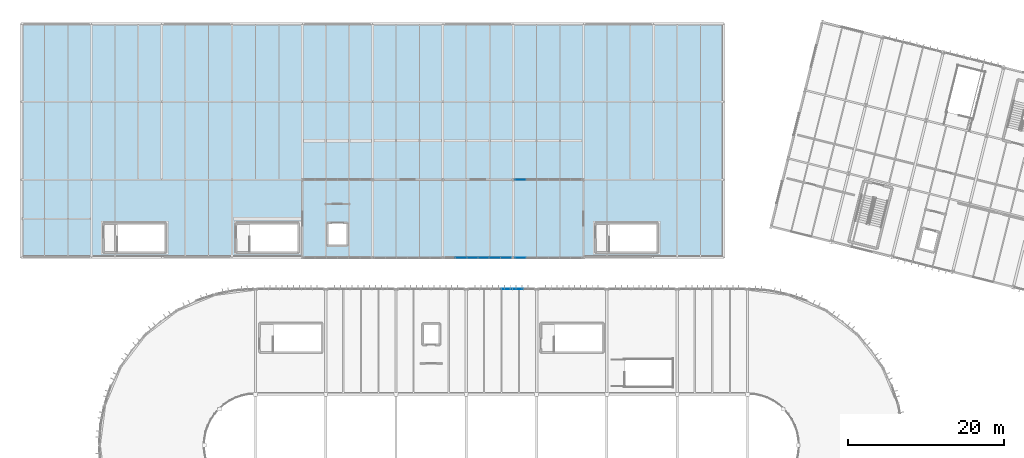
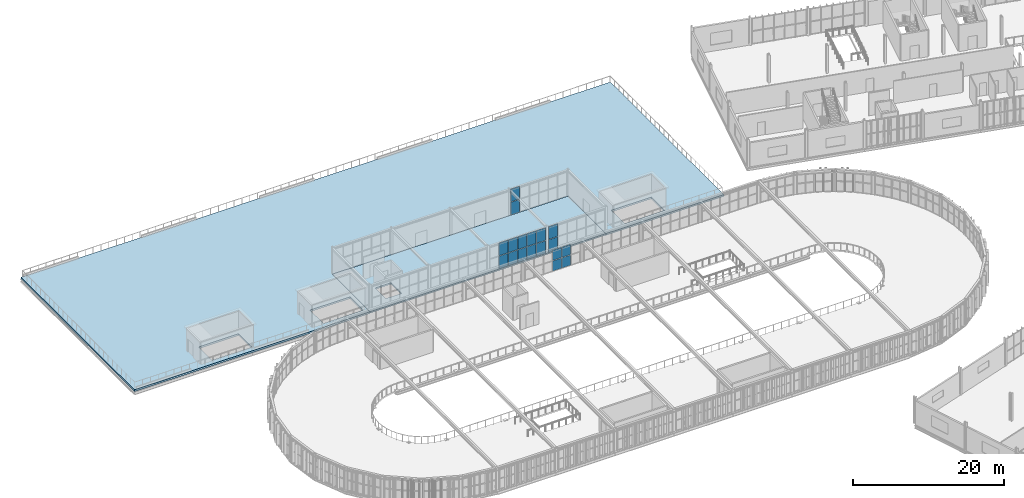
# One storey, part 111 of 152: 18 plates, 2 slabs, 4 elements without a shape of their own.
"""IFC4 building model written with IfcOpenShell, lengths in metres."""

from ifc_helpers import new_model, si_unit, derived_unit, direction, frame, origin, origin_2d, place, context, subcontext, project, spatial, polyline, rectangle, outline, extrude, material, layer, layer_set, type_object, element, aggregate, save


model = new_model("IFC4")

# Units and contexts
model_context = context("Model", 3, precision=1e-05, world=origin(), true_north=direction((0.0, 1.0)))
body_context = subcontext(model_context, "Body", "Model", "MODEL_VIEW")
ifc_project = project(units=[si_unit("LENGTHUNIT", "METRE"), si_unit("AREAUNIT", "SQUARE_METRE"), si_unit("VOLUMEUNIT", "CUBIC_METRE"), si_unit("PLANEANGLEUNIT", "RADIAN"), si_unit("MASSUNIT", "GRAM", prefix="KILO"), si_unit("THERMODYNAMICTEMPERATUREUNIT", "KELVIN"), si_unit("TIMEUNIT", "SECOND"), derived_unit("THERMALTRANSMITTANCEUNIT", [(si_unit("MASSUNIT", "GRAM", prefix="KILO"), 1), (si_unit("THERMODYNAMICTEMPERATUREUNIT", "KELVIN"), -1), (si_unit("TIMEUNIT", "SECOND"), -3)])], contexts=[model_context])

# Site, building, storey
site_placement = place(None, origin())
site = spatial("IfcSite", under=ifc_project, at=site_placement, CompositionType="ELEMENT")
building_placement = place(site_placement, origin())
building = spatial("IfcBuilding", under=site, at=building_placement, Name="Cambertide Market Hall", CompositionType="ELEMENT")
storey_placement = place(building_placement, frame((0.0, 0.0, 5.39990234375)))
storey = spatial("IfcBuildingStorey", under=building, at=storey_placement, Name="L02", CompositionType="ELEMENT", Elevation=5.39990234375)

# Slabs
ifc_material_1 = material(Name="Concrete B30", Category="concrete")
ifc_layer_1 = layer(ifc_material_1, 0.235107421875, Name="Herb Tea Pavilion Floor Slab 235")
ifc_layer_set_1 = layer_set([ifc_layer_1], Name="Concrete B30")
slab_type_1 = type_object("IfcSlabType", Name="Herb Tea Pavilion Floor Slab 235", PredefinedType="FLOOR", material=ifc_layer_set_1)
slab_1_placement = place(storey_placement, frame((0.0, 0.0, -0.23486328125)))
element("IfcSlab", 1, at=slab_1_placement, inside=storey, type_object=slab_type_1, Name="Level 2 Slab SLB-L02-V2-IN", PredefinedType="FLOOR", context=body_context, shape_type="SweptSolid", body=[
    extrude(outline(polyline([(48.0, 96.0), (84.0, 96.0), (84.0, 106.0), (48.0, 106.0), (48.0, 96.0)]), holes=[polyline([(51.300048828125, 100.39990234375), (53.699951171875, 100.39990234375), (53.699951171875, 97.60009765625), (51.300048828125, 97.60009765625), (51.300048828125, 100.39990234375)])]), origin(), (0.0, 0.0, 1.0), 0.23486328125),
])
ifc_material_2 = material(Name="Concrete B35", Category="concrete")
ifc_layer_2 = layer(ifc_material_2, 0.2900390625, Name="Outdoor Planted Herb Terrace Deck 290")
ifc_layer_set_2 = layer_set([ifc_layer_2], Name="Concrete B35")
slab_type_2 = type_object("IfcSlabType", Name="Outdoor Planted Herb Terrace Deck 290", PredefinedType="FLOOR", material=ifc_layer_set_2)
slab_2_placement = place(storey_placement, frame((0.0, 0.0, -0.289794921875)))
element("IfcSlab", 2, at=slab_2_placement, inside=storey, type_object=slab_type_2, Name="Level 2 Slab SLB-L02-V2-TERR", PredefinedType="FLOOR", context=body_context, shape_type="SweptSolid", body=[
    extrude(outline(polyline([(12.0, 96.0), (48.0, 96.0), (48.0, 106.0), (84.0, 106.0), (84.0, 96.0), (102.0, 96.0), (102.0, 126.0), (12.0, 126.0), (12.0, 96.0)]), holes=[polyline([(24.303955078125, 100.300048828125), (30.39990234375, 100.300048828125), (30.39990234375, 96.800048828125), (24.303955078125, 96.800048828125), (24.303955078125, 100.300048828125)]), polyline([(41.303955078125, 100.300048828125), (47.39990234375, 100.300048828125), (47.39990234375, 96.800048828125), (41.303955078125, 96.800048828125), (41.303955078125, 100.300048828125)]), polyline([(87.303955078125, 100.300048828125), (93.39990234375, 100.300048828125), (93.39990234375, 96.800048828125), (87.303955078125, 96.800048828125), (87.303955078125, 100.300048828125)])]), origin(), (0.0, 0.0, 1.0), 0.289794921875),
])

# Curtain wall, plates
ifc_material_3 = material(Name="Marine Anodized Aluminium 6063-T6 AA25", Category="aluminium")
curtain_wall_type_1 = type_object("IfcCurtainWallType", Name="Lantern Straight Upper Curtain Wall", PredefinedType="USERDEFINED", material=ifc_material_3)
curtain_wall_1_placement = place(storey_placement, origin())
curtain_wall_1 = element("IfcCurtainWall", 3, at=curtain_wall_1_placement, inside=storey, type_object=curtain_wall_type_1, Name="Level 2 Curtain Wall CW-V1N-L02-4", ObjectType="UNITIZED CURTAIN WALL", PredefinedType="USERDEFINED")
ifc_material_4 = material(Name="Low-E Laminated Insulated Glass", Category="glass")
ifc_layer_3 = layer(ifc_material_4, 0.028076171875, Name="Vision Insulated Glazing Panel 28")
ifc_layer_set_3 = layer_set([ifc_layer_3], Name="Low-E Laminated Insulated Glass")
plate_type = type_object("IfcPlateType", Name="Vision Insulated Glazing Panel 28", PredefinedType="CURTAIN_PANEL", material=ifc_layer_set_3)
plate_1_placement = place(storey_placement, frame((74.208251953125, 92.0, 0.0400390625), z_axis=(0.0, 0.0, 1.0), x_axis=(1.0, 0.0, 0.0)))
plate_1 = element("IfcPlate", 4, at=plate_1_placement, type_object=plate_type, Name="CW-V1N-L02-4 Glazing Panel 1-4", PredefinedType="CURTAIN_PANEL", context=body_context, shape_type="SweptSolid", body=[
    extrude(rectangle(XDim=1.336669921875, YDim=0.028076171875, at=origin_2d()), origin(), (0.0, 0.0, 1.0), 1.64501953125),
])
plate_2_placement = place(storey_placement, frame((75.625, 92.0, 0.0400390625), z_axis=(0.0, 0.0, 1.0), x_axis=(1.0, 0.0, 0.0)))
plate_2 = element("IfcPlate", 5, at=plate_2_placement, type_object=plate_type, Name="CW-V1N-L02-4 Glazing Panel 1-5", PredefinedType="CURTAIN_PANEL", context=body_context, shape_type="SweptSolid", body=[
    extrude(rectangle(XDim=1.336669921875, YDim=0.028076171875, at=origin_2d()), origin(), (0.0, 0.0, 1.0), 1.64501953125),
])
plate_3_placement = place(storey_placement, frame((74.208251953125, 92.0, 1.76513671875), z_axis=(0.0, 0.0, 1.0), x_axis=(1.0, 0.0, 0.0)))
plate_3 = element("IfcPlate", 6, at=plate_3_placement, type_object=plate_type, Name="CW-V1N-L02-4 Glazing Panel 2-4", PredefinedType="CURTAIN_PANEL", context=body_context, shape_type="SweptSolid", body=[
    extrude(rectangle(XDim=1.336669921875, YDim=0.028076171875, at=origin_2d()), origin(), (0.0, 0.0, 1.0), 1.64501953125),
])
plate_4_placement = place(storey_placement, frame((75.625, 92.0, 1.76513671875), z_axis=(0.0, 0.0, 1.0), x_axis=(1.0, 0.0, 0.0)))
plate_4 = element("IfcPlate", 7, at=plate_4_placement, type_object=plate_type, Name="CW-V1N-L02-4 Glazing Panel 2-5", PredefinedType="CURTAIN_PANEL", context=body_context, shape_type="SweptSolid", body=[
    extrude(rectangle(XDim=1.336669921875, YDim=0.028076171875, at=origin_2d()), origin(), (0.0, 0.0, 1.0), 1.64501953125),
])
aggregate(curtain_wall_1, [plate_1, plate_2, plate_3, plate_4])

ifc_material_5 = material(Name="Marine Anodized Aluminium 6063-T6 AA25", Category="aluminium")
curtain_wall_type_2 = type_object("IfcCurtainWallType", Name="Herb Tea Pavilion Terrace Glazed Wall", PredefinedType="USERDEFINED", material=ifc_material_5)
curtain_wall_2_placement = place(storey_placement, origin())
curtain_wall_2 = element("IfcCurtainWall", 8, at=curtain_wall_2_placement, inside=storey, type_object=curtain_wall_type_2, Name="Level 2 Curtain Wall CW-V2PAV-S-6", ObjectType="UNITIZED CURTAIN WALL", PredefinedType="USERDEFINED")
plate_5_placement = place(storey_placement, frame((74.083251953125, 96.0, 0.0400390625), z_axis=(0.0, 0.0, 1.0), x_axis=(-1.0, 0.0, 0.0)))
plate_5 = element("IfcPlate", 9, at=plate_5_placement, type_object=plate_type, Name="CW-V2PAV-S-6 Glazing Panel 1-1", PredefinedType="CURTAIN_PANEL", context=body_context, shape_type="SweptSolid", body=[
    extrude(rectangle(XDim=1.353271484375, YDim=0.028076171875, at=origin_2d()), origin(), (0.0, 0.0, 1.0), 2.044921875),
])
plate_6_placement = place(storey_placement, frame((72.64990234375, 96.0, 0.0400390625), z_axis=(0.0, 0.0, 1.0), x_axis=(-1.0, 0.0, 0.0)))
plate_6 = element("IfcPlate", 10, at=plate_6_placement, type_object=plate_type, Name="CW-V2PAV-S-6 Glazing Panel 1-2", PredefinedType="CURTAIN_PANEL", context=body_context, shape_type="SweptSolid", body=[
    extrude(rectangle(XDim=1.353271484375, YDim=0.028076171875, at=origin_2d()), origin(), (0.0, 0.0, 1.0), 2.044921875),
])
plate_7_placement = place(storey_placement, frame((71.216552734375, 96.0, 0.0400390625), z_axis=(0.0, 0.0, 1.0), x_axis=(-1.0, 0.0, 0.0)))
plate_7 = element("IfcPlate", 11, at=plate_7_placement, type_object=plate_type, Name="CW-V2PAV-S-6 Glazing Panel 1-3", PredefinedType="CURTAIN_PANEL", context=body_context, shape_type="SweptSolid", body=[
    extrude(rectangle(XDim=1.353271484375, YDim=0.028076171875, at=origin_2d()), origin(), (0.0, 0.0, 1.0), 2.044921875),
])
plate_8_placement = place(storey_placement, frame((69.783447265625, 96.0, 0.0400390625), z_axis=(0.0, 0.0, 1.0), x_axis=(-1.0, 0.0, 0.0)))
plate_8 = element("IfcPlate", 12, at=plate_8_placement, type_object=plate_type, Name="CW-V2PAV-S-6 Glazing Panel 1-4", PredefinedType="CURTAIN_PANEL", context=body_context, shape_type="SweptSolid", body=[
    extrude(rectangle(XDim=1.353271484375, YDim=0.028076171875, at=origin_2d()), origin(), (0.0, 0.0, 1.0), 2.044921875),
])
plate_9_placement = place(storey_placement, frame((68.35009765625, 96.0, 0.0400390625), z_axis=(0.0, 0.0, 1.0), x_axis=(-1.0, 0.0, 0.0)))
plate_9 = element("IfcPlate", 13, at=plate_9_placement, type_object=plate_type, Name="CW-V2PAV-S-6 Glazing Panel 1-5", PredefinedType="CURTAIN_PANEL", context=body_context, shape_type="SweptSolid", body=[
    extrude(rectangle(XDim=1.353271484375, YDim=0.028076171875, at=origin_2d()), origin(), (0.0, 0.0, 1.0), 2.044921875),
])
plate_10_placement = place(storey_placement, frame((74.083251953125, 96.0, 2.1650390625), z_axis=(0.0, 0.0, 1.0), x_axis=(-1.0, 0.0, 0.0)))
plate_10 = element("IfcPlate", 14, at=plate_10_placement, type_object=plate_type, Name="CW-V2PAV-S-6 Glazing Panel 2-1", PredefinedType="CURTAIN_PANEL", context=body_context, shape_type="SweptSolid", body=[
    extrude(rectangle(XDim=1.353271484375, YDim=0.028076171875, at=origin_2d()), origin(), (0.0, 0.0, 1.0), 2.044921875),
])
plate_11_placement = place(storey_placement, frame((72.64990234375, 96.0, 2.1650390625), z_axis=(0.0, 0.0, 1.0), x_axis=(-1.0, 0.0, 0.0)))
plate_11 = element("IfcPlate", 15, at=plate_11_placement, type_object=plate_type, Name="CW-V2PAV-S-6 Glazing Panel 2-2", PredefinedType="CURTAIN_PANEL", context=body_context, shape_type="SweptSolid", body=[
    extrude(rectangle(XDim=1.353271484375, YDim=0.028076171875, at=origin_2d()), origin(), (0.0, 0.0, 1.0), 2.044921875),
])
plate_12_placement = place(storey_placement, frame((71.216552734375, 96.0, 2.1650390625), z_axis=(0.0, 0.0, 1.0), x_axis=(-1.0, 0.0, 0.0)))
plate_12 = element("IfcPlate", 16, at=plate_12_placement, type_object=plate_type, Name="CW-V2PAV-S-6 Glazing Panel 2-3", PredefinedType="CURTAIN_PANEL", context=body_context, shape_type="SweptSolid", body=[
    extrude(rectangle(XDim=1.353271484375, YDim=0.028076171875, at=origin_2d()), origin(), (0.0, 0.0, 1.0), 2.044921875),
])
plate_13_placement = place(storey_placement, frame((69.783447265625, 96.0, 2.1650390625), z_axis=(0.0, 0.0, 1.0), x_axis=(-1.0, 0.0, 0.0)))
plate_13 = element("IfcPlate", 17, at=plate_13_placement, type_object=plate_type, Name="CW-V2PAV-S-6 Glazing Panel 2-4", PredefinedType="CURTAIN_PANEL", context=body_context, shape_type="SweptSolid", body=[
    extrude(rectangle(XDim=1.353271484375, YDim=0.028076171875, at=origin_2d()), origin(), (0.0, 0.0, 1.0), 2.044921875),
])
plate_14_placement = place(storey_placement, frame((68.35009765625, 96.0, 2.1650390625), z_axis=(0.0, 0.0, 1.0), x_axis=(-1.0, 0.0, 0.0)))
plate_14 = element("IfcPlate", 18, at=plate_14_placement, type_object=plate_type, Name="CW-V2PAV-S-6 Glazing Panel 2-5", PredefinedType="CURTAIN_PANEL", context=body_context, shape_type="SweptSolid", body=[
    extrude(rectangle(XDim=1.353271484375, YDim=0.028076171875, at=origin_2d()), origin(), (0.0, 0.0, 1.0), 2.044921875),
])
aggregate(curtain_wall_2, [plate_5, plate_6, plate_7, plate_8, plate_9, plate_10, plate_11, plate_12, plate_13, plate_14])

curtain_wall_3_placement = place(storey_placement, origin())
curtain_wall_3 = element("IfcCurtainWall", 19, at=curtain_wall_3_placement, inside=storey, type_object=curtain_wall_type_2, Name="Level 2 Curtain Wall CW-V2PAV-N-7", ObjectType="UNITIZED CURTAIN WALL", PredefinedType="USERDEFINED")
plate_15_placement = place(storey_placement, frame((75.916748046875, 106.0, 0.0400390625), z_axis=(0.0, 0.0, 1.0), x_axis=(1.0, 0.0, 0.0)))
plate_15 = element("IfcPlate", 20, at=plate_15_placement, type_object=plate_type, Name="CW-V2PAV-N-7 Glazing Panel 1-1", PredefinedType="CURTAIN_PANEL", context=body_context, shape_type="SweptSolid", body=[
    extrude(rectangle(XDim=1.353271484375, YDim=0.028076171875, at=origin_2d()), origin(), (0.0, 0.0, 1.0), 2.044921875),
])
plate_16_placement = place(storey_placement, frame((75.916748046875, 106.0, 2.1650390625), z_axis=(0.0, 0.0, 1.0), x_axis=(1.0, 0.0, 0.0)))
plate_16 = element("IfcPlate", 21, at=plate_16_placement, type_object=plate_type, Name="CW-V2PAV-N-7 Glazing Panel 2-1", PredefinedType="CURTAIN_PANEL", context=body_context, shape_type="SweptSolid", body=[
    extrude(rectangle(XDim=1.353271484375, YDim=0.028076171875, at=origin_2d()), origin(), (0.0, 0.0, 1.0), 2.044921875),
])
aggregate(curtain_wall_3, [plate_15, plate_16])

curtain_wall_4_placement = place(storey_placement, origin())
curtain_wall_4 = element("IfcCurtainWall", 22, at=curtain_wall_4_placement, inside=storey, type_object=curtain_wall_type_2, Name="Level 2 Curtain Wall CW-V2PAV-S-7", ObjectType="UNITIZED CURTAIN WALL", PredefinedType="USERDEFINED")
plate_17_placement = place(storey_placement, frame((75.916748046875, 96.0, 0.0400390625), z_axis=(0.0, 0.0, 1.0), x_axis=(-1.0, 0.0, 0.0)))
plate_17 = element("IfcPlate", 23, at=plate_17_placement, type_object=plate_type, Name="CW-V2PAV-S-7 Glazing Panel 1-6", PredefinedType="CURTAIN_PANEL", context=body_context, shape_type="SweptSolid", body=[
    extrude(rectangle(XDim=1.353271484375, YDim=0.028076171875, at=origin_2d()), origin(), (0.0, 0.0, 1.0), 2.044921875),
])
plate_18_placement = place(storey_placement, frame((75.916748046875, 96.0, 2.1650390625), z_axis=(0.0, 0.0, 1.0), x_axis=(-1.0, 0.0, 0.0)))
plate_18 = element("IfcPlate", 24, at=plate_18_placement, type_object=plate_type, Name="CW-V2PAV-S-7 Glazing Panel 2-6", PredefinedType="CURTAIN_PANEL", context=body_context, shape_type="SweptSolid", body=[
    extrude(rectangle(XDim=1.353271484375, YDim=0.028076171875, at=origin_2d()), origin(), (0.0, 0.0, 1.0), 2.044921875),
])
aggregate(curtain_wall_4, [plate_17, plate_18])

save(model, "model.ifc")
